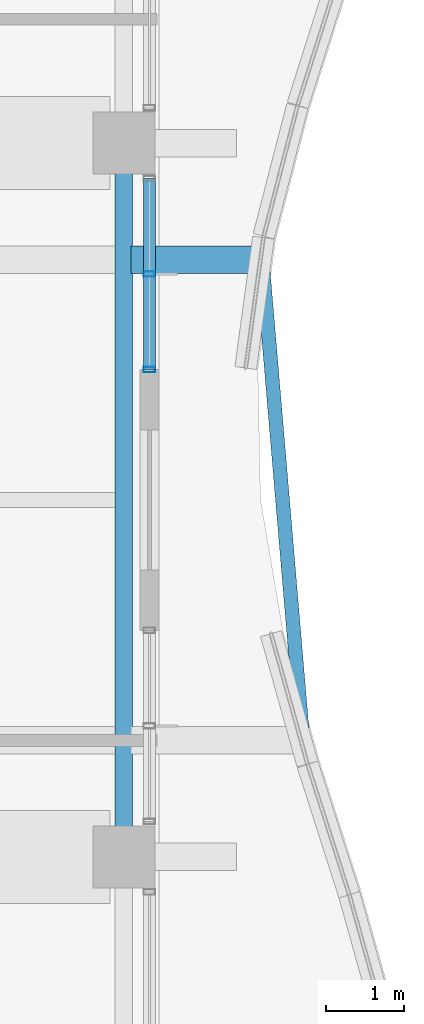
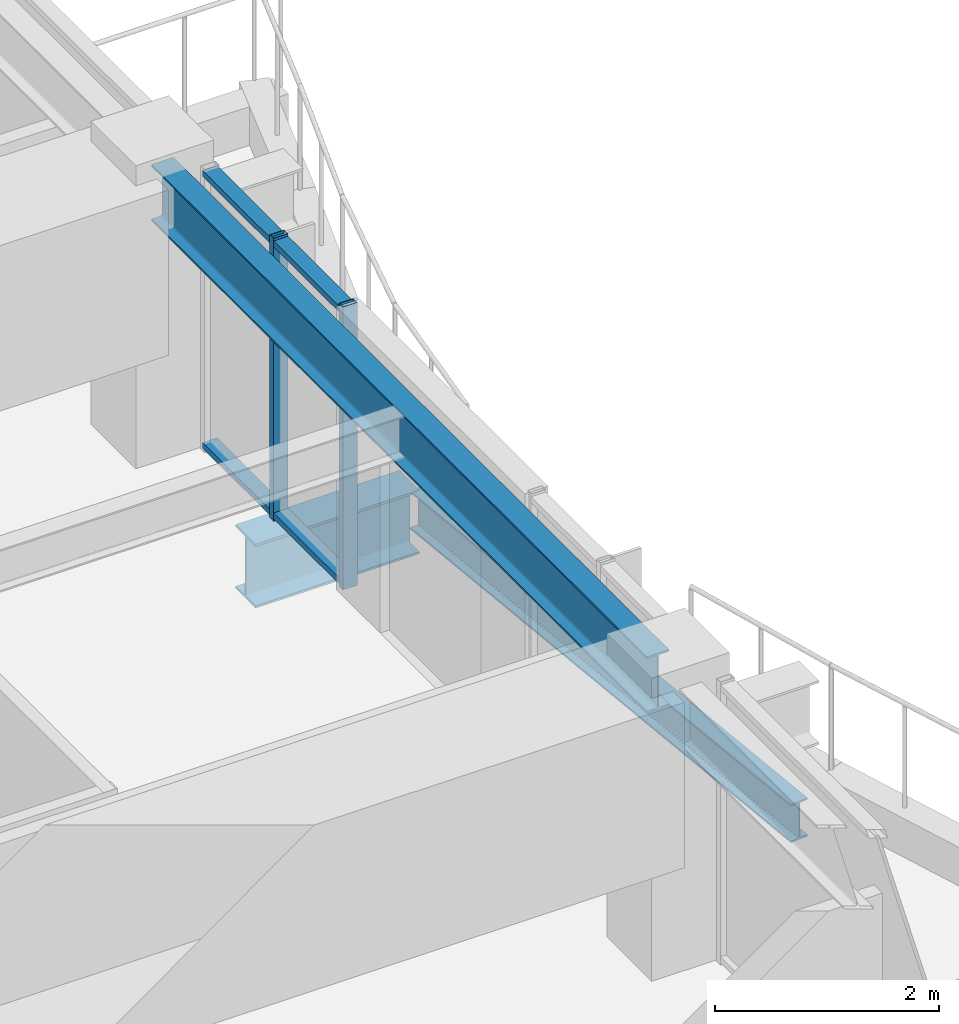
# One storey, part 15 of 35: 4 members, 3 beams, 1 element without a shape of its own.
"""IFC4 building model written with IfcOpenShell, lengths in metres."""

from ifc_helpers import new_model, si_unit, direction, frame, origin, origin_2d, place, context, subcontext, project, spatial, hollow_rectangle, i_section, extrude, material, material_profile, profile_set, type_object, element, aggregate, save


model = new_model("IFC4")

# Units and contexts
model_context = context("Model", 3, precision=1e-05, world=origin(), true_north=direction((0.0, 1.0)))
body_context = subcontext(model_context, "Body", "Model", "MODEL_VIEW")
ifc_project = project(units=[si_unit("LENGTHUNIT", "METRE"), si_unit("AREAUNIT", "SQUARE_METRE"), si_unit("VOLUMEUNIT", "CUBIC_METRE"), si_unit("PLANEANGLEUNIT", "RADIAN"), si_unit("MASSUNIT", "GRAM", prefix="KILO")], contexts=[model_context])

# Site, building, storey
site_placement = place(None, origin())
site = spatial("IfcSite", under=ifc_project, at=site_placement, CompositionType="ELEMENT")
building_placement = place(site_placement, origin())
building = spatial("IfcBuilding", under=site, at=building_placement, Name="Kolvaren Belvedere", CompositionType="ELEMENT")
storey_placement = place(building_placement, frame((0.0, 0.0, 203.10009765625)))
storey = spatial("IfcBuildingStorey", under=building, at=storey_placement, Name="L59", CompositionType="ELEMENT", Elevation=203.10009765625)

# Beams
ifc_material_1 = material(Name="Structural steel ASTM A992 Grade 50", Category="steel")
ifc_material_profile_1 = material_profile(ifc_material_1, i_section(OverallWidth=0.35498046875, OverallDepth=0.696044921875, WebThickness=0.015380859375, FlangeThickness=0.02490234375, FilletRadius=0.02197265625, at=origin_2d()), Name="W27X146")
ifc_profile_set_1 = profile_set([ifc_material_profile_1], Name="Structural steel ASTM A992 Grade 50")
beam_type_1 = type_object("IfcBeamType", Name="BM-CANT-BAL", PredefinedType="BEAM", material=ifc_profile_set_1)
beam_1_placement = place(storey_placement, frame((20.044921875, 3.10009765625, -0.568115234375), z_axis=(1.0, 0.0, 0.0), x_axis=(0.0, 1.0, 0.0)))
element("IfcBeam", 1, at=beam_1_placement, inside=storey, type_object=beam_type_1, Name="L59 Planted Balcony Cantilever BAL-E-2", PredefinedType="BEAM", context=body_context, shape_type="SweptSolid", body=[
    extrude(i_section(OverallWidth=0.35498046875, OverallDepth=0.696044921875, WebThickness=0.015380859375, FlangeThickness=0.02490234375, FilletRadius=0.02197265625, at=origin_2d()), origin(), (0.0, 0.0, 1.0), 1.6875),
])
ifc_material_2 = material(Name="Structural steel ASTM A992 Grade 50", Category="steel")
ifc_material_profile_2 = material_profile(ifc_material_2, i_section(OverallWidth=0.180908203125, OverallDepth=0.4169921875, WebThickness=0.010986328125, FlangeThickness=0.018310546875, FilletRadius=0.013916015625, at=origin_2d()), Name="W16X57")
ifc_profile_set_2 = profile_set([ifc_material_profile_2], Name="Structural steel ASTM A992 Grade 50")
beam_type_2 = type_object("IfcBeamType", Name="BM-EDGE-W16X57", PredefinedType="BEAM", material=ifc_profile_set_2)
beam_2_placement = place(storey_placement, frame((22.246826171875, -2.96044921875, -0.4287109375), z_axis=(-0.08459587635, 0.996415343973, 0.0), x_axis=(-0.996415343973, -0.08459587635, 0.0)))
element("IfcBeam", 2, at=beam_2_placement, inside=storey, type_object=beam_type_2, Name="L59 Balcony Tip Header Beam BAL-E", PredefinedType="BEAM", context=body_context, shape_type="SweptSolid", body=[
    extrude(i_section(OverallWidth=0.180908203125, OverallDepth=0.4169921875, WebThickness=0.010986328125, FlangeThickness=0.018310546875, FilletRadius=0.013916015625, at=origin_2d()), origin(), (0.0, 0.0, 1.0), 5.942138671875),
])
ifc_material_3 = material(Name="Structural steel ASTM A992 Grade 50", Category="steel")
ifc_material_profile_3 = material_profile(ifc_material_3, i_section(OverallWidth=0.22900390625, OverallDepth=0.612060546875, WebThickness=0.011962890625, FlangeThickness=0.01953125, FilletRadius=0.01806640625, at=origin_2d()), Name="W24X84")
ifc_profile_set_3 = profile_set([ifc_material_profile_3], Name="Structural steel ASTM A992 Grade 50")
beam_type_3 = type_object("IfcBeamType", Name="BM-SPAN-W24X84", PredefinedType="SPANDREL", material=ifc_profile_set_3)
beam_3_placement = place(storey_placement, frame((19.949951171875, -4.419921875, 2.77392578125), z_axis=(0.0, 1.0, 0.0), x_axis=(-1.0, 0.0, 0.0)))
element("IfcBeam", 3, at=beam_3_placement, inside=storey, type_object=beam_type_3, Name="L59 Perimeter Spandrel E2-E3", PredefinedType="SPANDREL", context=body_context, shape_type="SweptSolid", body=[
    extrude(i_section(OverallWidth=0.22900390625, OverallDepth=0.612060546875, WebThickness=0.011962890625, FlangeThickness=0.01953125, FilletRadius=0.01806640625, at=origin_2d()), origin(), (0.0, 0.0, 1.0), 8.83984375),
])

# Curtain wall, members
ifc_material_4 = material(Name="Anodised pale-metal aluminium AA 6063-T6", Category="aluminium")
curtain_wall_type = type_object("IfcCurtainWallType", Name="CW-Z5-HIGH", PredefinedType="NOTDEFINED", material=ifc_material_4)
curtain_wall_placement = place(storey_placement, origin())
curtain_wall = element("IfcCurtainWall", 4, at=curtain_wall_placement, inside=storey, type_object=curtain_wall_type, Name="L59 Unitised Curtain Wall FCW-L59-E1-B2", PredefinedType="NOTDEFINED")
ifc_material_5 = material(Name="Anodised pale-metal aluminium AA 6063-T6", Category="aluminium")
ifc_material_profile_4 = material_profile(ifc_material_5, hollow_rectangle(XDim=0.070068359375, YDim=0.14990234375, WallThickness=0.004150390625, at=origin_2d()), Name="ALU-MUL-150X70")
ifc_profile_set_4 = profile_set([ifc_material_profile_4], Name="Anodised pale-metal aluminium AA 6063-T6")
member_type_1 = type_object("IfcMemberType", Name="CW-MUL-150", PredefinedType="MULLION", material=ifc_profile_set_4)
member_1_placement = place(storey_placement, frame((20.280029296875, 2.91259765625, 0.0), z_axis=(0.0, 0.0, 1.0), x_axis=(0.0, 1.0, 0.0)))
member_1 = element("IfcMember", 5, at=member_1_placement, type_object=member_type_1, Name="FCW-L59-E1-B2 Unitised Mullion 2", PredefinedType="MULLION", context=body_context, shape_type="SweptSolid", body=[
    extrude(hollow_rectangle(XDim=0.070068359375, YDim=0.14990234375, WallThickness=0.004150390625, at=origin_2d()), origin(), (0.0, 0.0, 1.0), 3.079833984375),
])
member_2_placement = place(storey_placement, frame((20.280029296875, 1.679931640625, 0.0), z_axis=(0.0, 0.0, 1.0), x_axis=(0.0, 1.0, 0.0)))
member_2 = element("IfcMember", 6, at=member_2_placement, type_object=member_type_1, Name="FCW-L59-E1-B2 Unitised Mullion 3", PredefinedType="MULLION", context=body_context, shape_type="SweptSolid", body=[
    extrude(hollow_rectangle(XDim=0.070068359375, YDim=0.14990234375, WallThickness=0.004150390625, at=origin_2d()), origin(), (0.0, 0.0, 1.0), 3.079833984375),
])
ifc_material_6 = material(Name="Anodised pale-metal aluminium AA 6063-T6", Category="aluminium")
ifc_material_profile_5 = material_profile(ifc_material_6, hollow_rectangle(XDim=0.06494140625, YDim=0.14990234375, WallThickness=0.00390625, at=origin_2d()), Name="ALU-TRN-150X65")
ifc_profile_set_5 = profile_set([ifc_material_profile_5], Name="Anodised pale-metal aluminium AA 6063-T6")
member_type_2 = type_object("IfcMemberType", Name="CW-TRN-150", PredefinedType="USERDEFINED", material=ifc_profile_set_5)
member_3_placement = place(storey_placement, frame((20.280029296875, 4.14501953125, 0.059814453125), z_axis=(0.0, -1.0, 0.0), x_axis=(0.0, 0.0, 1.0)))
member_3 = element("IfcMember", 7, at=member_3_placement, type_object=member_type_2, Name="FCW-L59-E1-B2 Sill Transom", ObjectType="TRANSOM", PredefinedType="USERDEFINED", context=body_context, shape_type="SweptSolid", body=[
    extrude(hollow_rectangle(XDim=0.06494140625, YDim=0.14990234375, WallThickness=0.00390625, at=origin_2d()), origin(), (0.0, 0.0, 1.0), 2.465087890625),
])
member_4_placement = place(storey_placement, frame((20.280029296875, 4.14501953125, 3.02001953125), z_axis=(0.0, -1.0, 0.0), x_axis=(0.0, 0.0, 1.0)))
member_4 = element("IfcMember", 8, at=member_4_placement, type_object=member_type_2, Name="FCW-L59-E1-B2 Head Transom", ObjectType="TRANSOM", PredefinedType="USERDEFINED", context=body_context, shape_type="SweptSolid", body=[
    extrude(hollow_rectangle(XDim=0.06494140625, YDim=0.14990234375, WallThickness=0.00390625, at=origin_2d()), origin(), (0.0, 0.0, 1.0), 2.465087890625),
])
aggregate(curtain_wall, [member_1, member_2, member_3, member_4])

save(model, "model.ifc")
